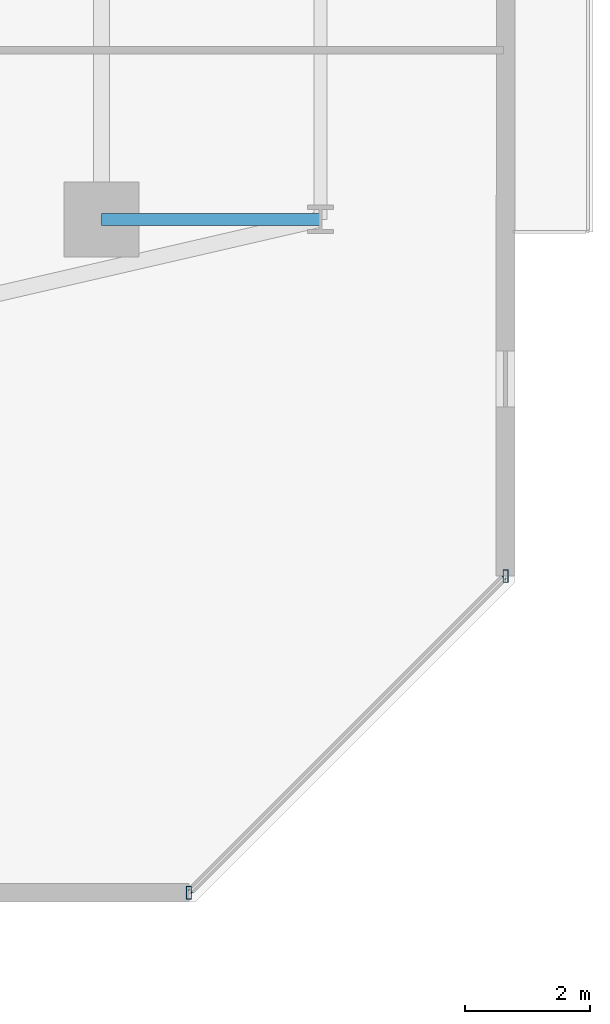
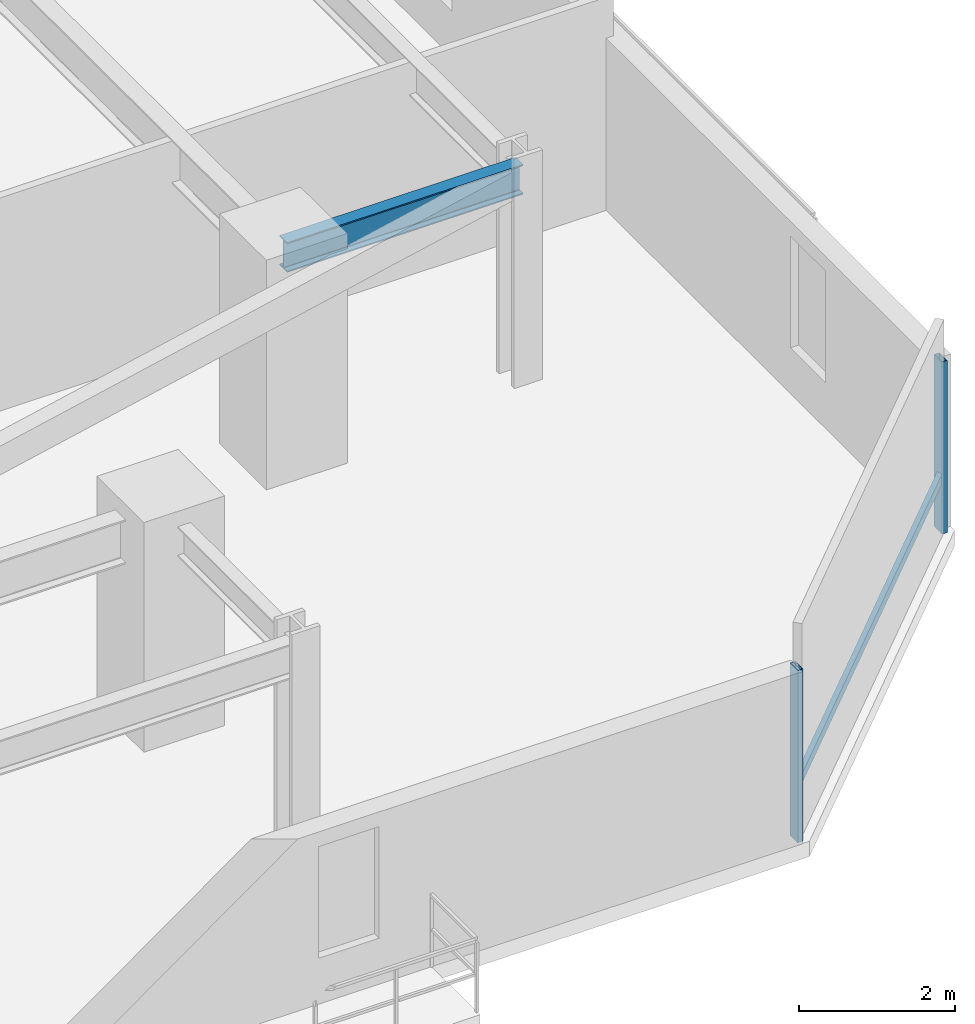
# One storey, part 12 of 33: 3 members, 1 beam, 1 element without a shape of its own.
"""IFC4 building model written with IfcOpenShell, lengths in metres."""

from ifc_helpers import new_model, si_unit, direction, frame, origin, origin_2d, place, context, subcontext, project, spatial, hollow_rectangle, i_section, extrude, material, material_profile, profile_set, type_object, element, aggregate, save


model = new_model("IFC4")

# Units and contexts
model_context = context("Model", 3, precision=1e-05, world=origin(), true_north=direction((0.0, 1.0)))
body_context = subcontext(model_context, "Body", "Model", "MODEL_VIEW")
ifc_project = project(units=[si_unit("LENGTHUNIT", "METRE"), si_unit("AREAUNIT", "SQUARE_METRE"), si_unit("VOLUMEUNIT", "CUBIC_METRE"), si_unit("PLANEANGLEUNIT", "RADIAN"), si_unit("MASSUNIT", "GRAM", prefix="KILO")], contexts=[model_context])

# Site, building, storey
site_placement = place(None, origin())
site = spatial("IfcSite", under=ifc_project, at=site_placement, CompositionType="ELEMENT")
building_placement = place(site_placement, origin())
building = spatial("IfcBuilding", under=site, at=building_placement, Name="Thornwick Lancets Civic Towers", CompositionType="ELEMENT")
storey_placement = place(building_placement, frame((0.0, 0.0, 134.10009765625)))
storey = spatial("IfcBuildingStorey", under=building, at=storey_placement, Name="L35", CompositionType="ELEMENT", Elevation=134.10009765625)

# Beam
ifc_material_1 = material(Name="Steel S355JR", Category="steel")
ifc_material_profile_1 = material_profile(ifc_material_1, i_section(OverallWidth=0.19287109375, OverallDepth=0.46728515625, WebThickness=0.011474609375, FlangeThickness=0.01953125, FilletRadius=0.01025390625, at=origin_2d()), Name="UKB 457x191x98")
ifc_profile_set_1 = profile_set([ifc_material_profile_1], Name="Steel S355JR")
beam_type = type_object("IfcBeamType", Name="BM_JOIST_457_98", PredefinedType="JOIST", material=ifc_profile_set_1)
beam_placement = place(storey_placement, frame((105.800048828125, 14.0, 3.126220703125), z_axis=(1.0, 0.0, 0.0), x_axis=(0.0, 1.0, 0.0)))
element("IfcBeam", 1, at=beam_placement, inside=storey, type_object=beam_type, Name="BM-RAD-L35-B01", PredefinedType="JOIST", context=body_context, shape_type="SweptSolid", body=[
    extrude(i_section(OverallWidth=0.19287109375, OverallDepth=0.46728515625, WebThickness=0.011474609375, FlangeThickness=0.01953125, FilletRadius=0.01025390625, at=origin_2d()), origin(), (0.0, 0.0, 1.0), 3.5),
])

# Curtain wall, members
ifc_material_2 = material(Name="Mid-zone chamfered-corner unitised glass curtain wall", Category="glass")
curtain_wall_type = type_object("IfcCurtainWallType", Name="CW_SYS_04", PredefinedType="NOTDEFINED", material=ifc_material_2)
curtain_wall_placement = place(storey_placement, origin())
curtain_wall = element("IfcCurtainWall", 2, at=curtain_wall_placement, inside=storey, type_object=curtain_wall_type, Name="L35 Curtain Wall CW-L35-B-E1", PredefinedType="NOTDEFINED")
ifc_material_3 = material(Name="Thermally broken bronze aluminium S355", Category="steel")
ifc_material_profile_2 = material_profile(ifc_material_3, hollow_rectangle(XDim=0.080078125, YDim=0.199951171875, WallThickness=0.006103515625, at=origin_2d()), Name="RHS 200x80x6")
ifc_profile_set_2 = profile_set([ifc_material_profile_2], Name="Thermally broken bronze aluminium S355")
member_type_1 = type_object("IfcMemberType", Name="CW_MUL_200", PredefinedType="MULLION", material=ifc_profile_set_2)
member_1_placement = place(storey_placement, frame((107.199462890625, 3.24365234375, 0.0), z_axis=(0.0, 0.0, 1.0), x_axis=(1.0, 0.0, 0.0)))
member_1 = element("IfcMember", 3, at=member_1_placement, type_object=member_type_1, Name="CW-L35-B-E1 Mullion 0", PredefinedType="MULLION", context=body_context, shape_type="SweptSolid", body=[
    extrude(hollow_rectangle(XDim=0.080078125, YDim=0.199951171875, WallThickness=0.006103515625, at=origin_2d()), origin(), (0.0, 0.0, 1.0), 2.699951171875),
])
member_2_placement = place(storey_placement, frame((112.25634765625, 8.300537109375, 0.0), z_axis=(0.0, 0.0, 1.0), x_axis=(1.0, 0.0, 0.0)))
member_2 = element("IfcMember", 4, at=member_2_placement, type_object=member_type_1, Name="CW-L35-B-E1 Mullion 1", PredefinedType="MULLION", context=body_context, shape_type="SweptSolid", body=[
    extrude(hollow_rectangle(XDim=0.080078125, YDim=0.199951171875, WallThickness=0.006103515625, at=origin_2d()), origin(), (0.0, 0.0, 1.0), 2.699951171875),
])
ifc_material_profile_3 = material_profile(ifc_material_3, hollow_rectangle(XDim=0.074951171875, YDim=0.14990234375, WallThickness=0.0048828125, at=origin_2d()), Name="RHS 150x75x5")
ifc_profile_set_3 = profile_set([ifc_material_profile_3], Name="Thermally broken bronze aluminium S355")
member_type_2 = type_object("IfcMemberType", Name="CW_TRN_150", PredefinedType="USERDEFINED", material=ifc_profile_set_3)
member_3_placement = place(storey_placement, frame((107.21337890625, 3.2578125, 0.849853515625), z_axis=(0.707106781187, 0.707106781187, 0.0), x_axis=(-0.707106781187, 0.707106781187, 0.0)))
member_3 = element("IfcMember", 5, at=member_3_placement, type_object=member_type_2, Name="CW-L35-B-E1 Transom 0", ObjectType="TRANSOM", PredefinedType="USERDEFINED", context=body_context, shape_type="SweptSolid", body=[
    extrude(hollow_rectangle(XDim=0.074951171875, YDim=0.14990234375, WallThickness=0.0048828125, at=origin_2d()), origin(), (0.0, 0.0, 1.0), 7.11181640625),
])
aggregate(curtain_wall, [member_1, member_2, member_3])

save(model, "model.ifc")
